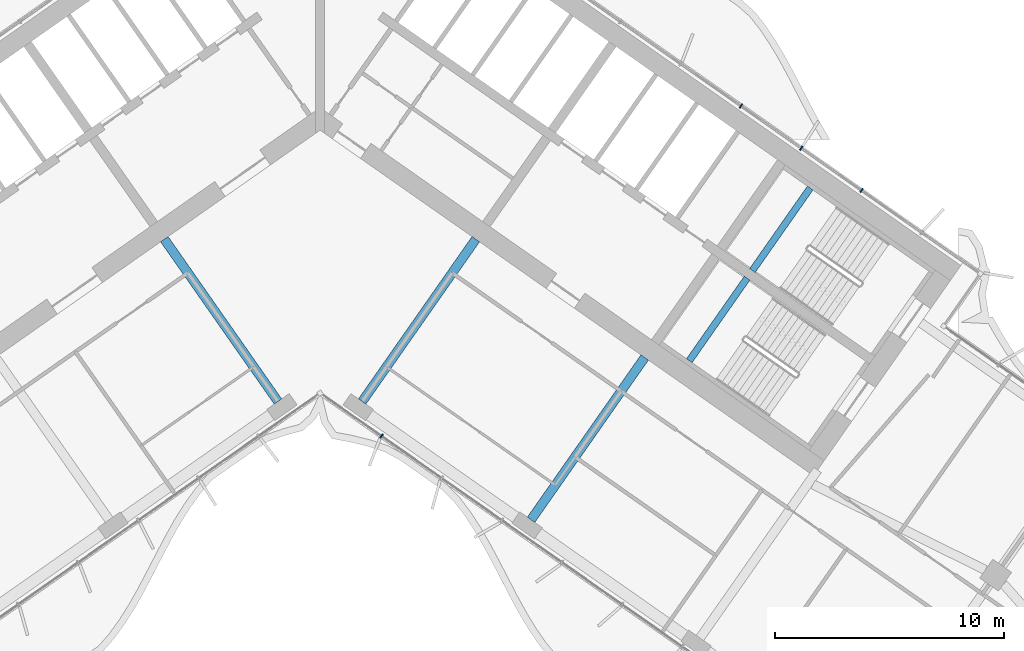
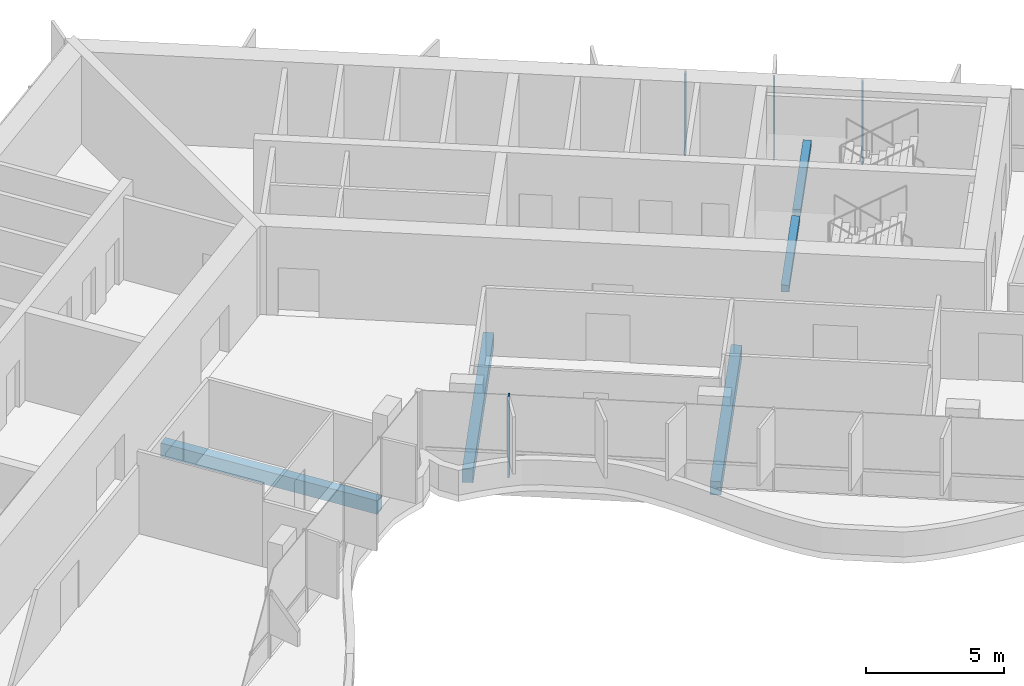
# One storey, part 7 of 23: 5 beams, 4 members, 2 elements without a shape of their own.
"""IFC4 building model written with IfcOpenShell, lengths in metres."""

from ifc_helpers import new_model, si_unit, direction, frame, origin, origin_2d, place, context, subcontext, project, spatial, rectangle, extrude, material, material_profile, profile_set, type_object, element, aggregate, save


model = new_model("IFC4")

# Units and contexts
model_context = context("Model", 3, precision=1e-05, world=origin(), true_north=direction((0.0, 1.0)))
body_context = subcontext(model_context, "Body", "Model", "MODEL_VIEW")
ifc_project = project(units=[si_unit("LENGTHUNIT", "METRE"), si_unit("AREAUNIT", "SQUARE_METRE"), si_unit("VOLUMEUNIT", "CUBIC_METRE"), si_unit("PLANEANGLEUNIT", "RADIAN"), si_unit("MASSUNIT", "GRAM", prefix="KILO")], contexts=[model_context])

# Site, building, storey
site_placement = place(None, origin())
site = spatial("IfcSite", under=ifc_project, at=site_placement, CompositionType="ELEMENT")
building_placement = place(site_placement, origin())
building = spatial("IfcBuilding", under=site, at=building_placement, Name="Tel Ilan Convention Tower", CompositionType="ELEMENT")
storey_placement = place(building_placement, frame((0.0, 0.0, 171.0)))
storey = spatial("IfcBuildingStorey", under=building, at=storey_placement, Name="L39", CompositionType="ELEMENT", Elevation=171.0)

# Beams
ifc_material_1 = material(Name="Concrete C40/50", Category="concrete")
ifc_material_profile_1 = material_profile(ifc_material_1, rectangle(XDim=0.39990234375, YDim=0.60009765625, at=origin_2d()), Name="RC 400x600")
ifc_profile_set_1 = profile_set([ifc_material_profile_1], Name="Concrete C40/50")
beam_type_1 = type_object("IfcBeamType", Name="Beam RC 400x600 Concrete C40/50", PredefinedType="BEAM", material=ifc_profile_set_1)
for number, where, z_axis, x_axis, name in (
    (1, (-1.83740234375, -13.06689453125, -0.580078125), (-0.573574099654, 0.819153680457, 0.0), (-0.819153680457, -0.573574099654, 0.0), "L39 beam W-W-F1-core"),
    (2, (1.83740234375, -13.06689453125, -0.580078125), (0.573574099654, 0.819153680457, 0.0), (-0.819153680457, 0.573574099654, 0.0), "L39 beam E-E-F1-core"),
    (3, (9.209716796875, -18.229248046875, -0.580078125), (0.573574099654, 0.819153680457, 0.0), (-0.819153680457, 0.573574099654, 0.0), "L39 beam E-E-F2-core"),
):
    element("IfcBeam", number, at=place(storey_placement, frame(where, z_axis=z_axis, x_axis=x_axis)), inside=storey, type_object=beam_type_1, Name=name, PredefinedType="BEAM", context=body_context, shape_type="SweptSolid", body=[
        extrude(rectangle(XDim=0.39990234375, YDim=0.60009765625, at=origin_2d()), origin(), (0.0, 0.0, 1.0), 8.64990234375),
    ])

# Curtain wall, members
ifc_material_2 = material(Name="Aluminium, bronze anodised", Category="aluminium")
curtain_wall_type_1 = type_object("IfcCurtainWallType", Name="CW2 STICK CURTAIN WALL, SPANDREL PANELS", PredefinedType="NOTDEFINED", material=ifc_material_2)
curtain_wall_1_placement = place(storey_placement, origin())
curtain_wall_1 = element("IfcCurtainWall", 4, at=curtain_wall_1_placement, inside=storey, type_object=curtain_wall_type_1, Name="Curtain wall CW2-31.01", PredefinedType="NOTDEFINED")
ifc_material_3 = material(Name="Aluminium, bronze anodised", Category="aluminium")
ifc_material_profile_2 = material_profile(ifc_material_3, rectangle(XDim=0.06005859375, YDim=0.199951171875, at=origin_2d()), Name="CW MULLION 60x200")
ifc_profile_set_2 = profile_set([ifc_material_profile_2], Name="Aluminium, bronze anodised")
member_type = type_object("IfcMemberType", Name="CW MULLION 60x200", PredefinedType="MULLION", material=ifc_profile_set_2)
member_1_placement = place(storey_placement, frame((23.63623046875, -3.854248046875, 0.0), z_axis=(0.0, 0.0, 1.0), x_axis=(-0.819152044289, 0.573576436351, 0.0)))
member_1 = element("IfcMember", 5, at=member_1_placement, type_object=member_type, Name="Mullion", PredefinedType="MULLION", context=body_context, shape_type="SweptSolid", body=[
    extrude(rectangle(XDim=0.06005859375, YDim=0.199951171875, at=origin_2d()), origin(), (0.0, 0.0, 1.0), 3.6201171875),
])
member_2_placement = place(storey_placement, frame((21.003662109375, -2.0107421875, 0.0), z_axis=(0.0, 0.0, 1.0), x_axis=(-0.819152044289, 0.573576436351, 0.0)))
member_2 = element("IfcMember", 6, at=member_2_placement, type_object=member_type, Name="Mullion", PredefinedType="MULLION", context=body_context, shape_type="SweptSolid", body=[
    extrude(rectangle(XDim=0.06005859375, YDim=0.199951171875, at=origin_2d()), origin(), (0.0, 0.0, 1.0), 3.6201171875),
])
member_3_placement = place(storey_placement, frame((18.37109375, -0.16748046875, 0.0), z_axis=(0.0, 0.0, 1.0), x_axis=(-0.819152044289, 0.573576436351, 0.0)))
member_3 = element("IfcMember", 7, at=member_3_placement, type_object=member_type, Name="Mullion", PredefinedType="MULLION", context=body_context, shape_type="SweptSolid", body=[
    extrude(rectangle(XDim=0.06005859375, YDim=0.199951171875, at=origin_2d()), origin(), (0.0, 0.0, 1.0), 3.6201171875),
])
aggregate(curtain_wall_1, [member_1, member_2, member_3])

# Curtain wall, member
ifc_material_4 = material(Name="Aluminium, bronze anodised", Category="aluminium")
curtain_wall_type_2 = type_object("IfcCurtainWallType", Name="CW4 STICK CURTAIN WALL, OFFICE TINTED GLASS", PredefinedType="NOTDEFINED", material=ifc_material_4)
curtain_wall_2_placement = place(storey_placement, origin())
curtain_wall_2 = element("IfcCurtainWall", 8, at=curtain_wall_2_placement, inside=storey, type_object=curtain_wall_type_2, Name="Curtain wall CW4-31.02", PredefinedType="NOTDEFINED")
member_4_placement = place(storey_placement, frame((2.6826171875, -14.574462890625, 0.0), z_axis=(0.0, 0.0, 1.0), x_axis=(0.819152044289, -0.573576436351, 0.0)))
member_4 = element("IfcMember", 9, at=member_4_placement, type_object=member_type, Name="Mullion", PredefinedType="MULLION", context=body_context, shape_type="SweptSolid", body=[
    extrude(rectangle(XDim=0.06005859375, YDim=0.199951171875, at=origin_2d()), origin(), (0.0, 0.0, 1.0), 3.6201171875),
])
aggregate(curtain_wall_2, [member_4])

# Beams
ifc_material_5 = material(Name="Concrete C40/50", Category="concrete")
ifc_material_profile_3 = material_profile(ifc_material_5, rectangle(XDim=0.300048828125, YDim=0.300048828125, at=origin_2d()), Name="RC 300x300")
ifc_profile_set_3 = profile_set([ifc_material_profile_3], Name="Concrete C40/50")
beam_type_2 = type_object("IfcBeamType", Name="Landing Beam RC 300x300 Concrete C40/50", PredefinedType="BEAM", material=ifc_profile_set_3)
beam_1_placement = place(storey_placement, frame((21.39404296875, -3.7490234375, 1.60009765625), z_axis=(-0.57354426506, -0.819174569928, 0.0), x_axis=(0.819174569928, -0.57354426506, 0.0)))
element("IfcBeam", 10, at=beam_1_placement, inside=storey, type_object=beam_type_2, Name="S3 landing beam L39.1", PredefinedType="BEAM", context=body_context, shape_type="SweptSolid", body=[
    extrude(rectangle(XDim=0.300048828125, YDim=0.300048828125, at=origin_2d()), origin(), (0.0, 0.0, 1.0), 4.400146484375),
])
beam_2_placement = place(storey_placement, frame((18.640869140625, -7.68115234375, 1.60009765625), z_axis=(-0.573570334442, -0.819156316858, 0.0), x_axis=(0.819156316858, -0.573570334442, 0.0)))
element("IfcBeam", 11, at=beam_2_placement, inside=storey, type_object=beam_type_2, Name="S4 landing beam L39.1", PredefinedType="BEAM", context=body_context, shape_type="SweptSolid", body=[
    extrude(rectangle(XDim=0.300048828125, YDim=0.300048828125, at=origin_2d()), origin(), (0.0, 0.0, 1.0), 4.39990234375),
])

save(model, "model.ifc")
